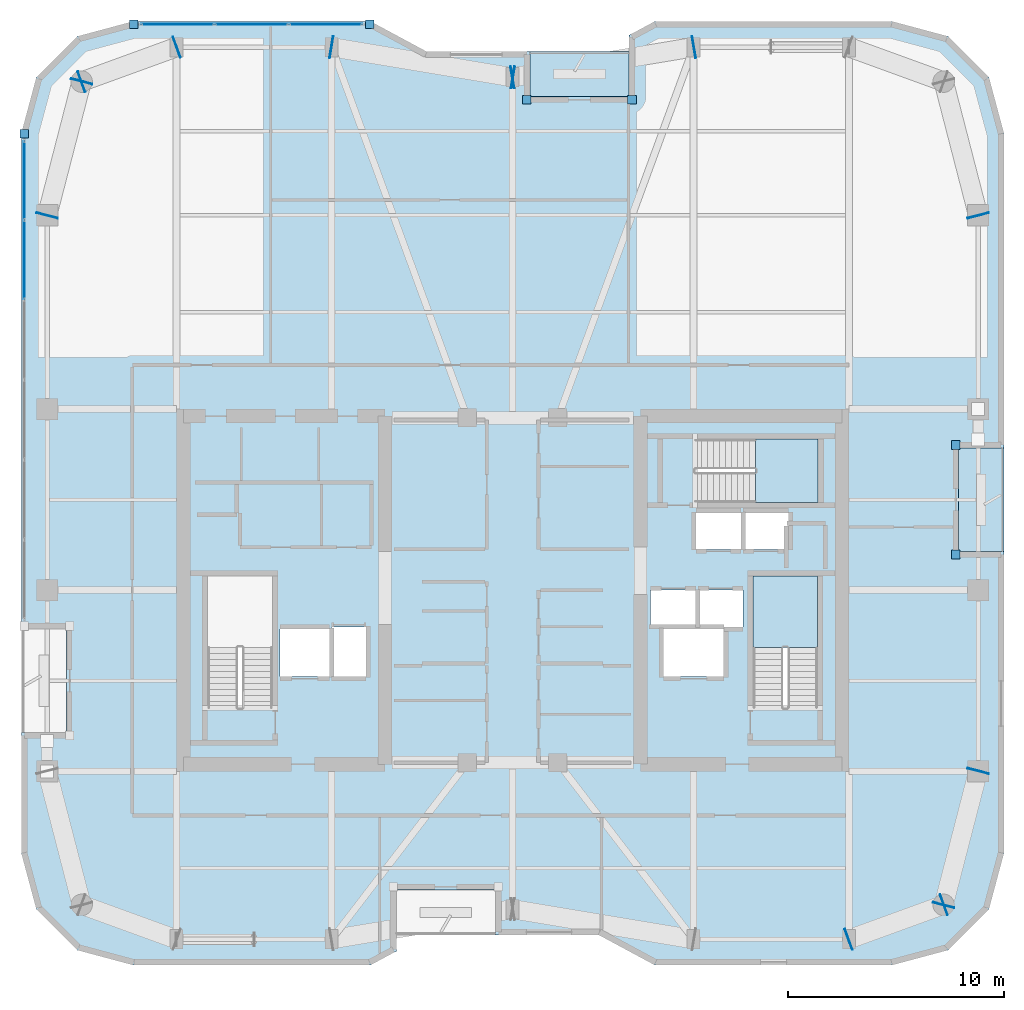
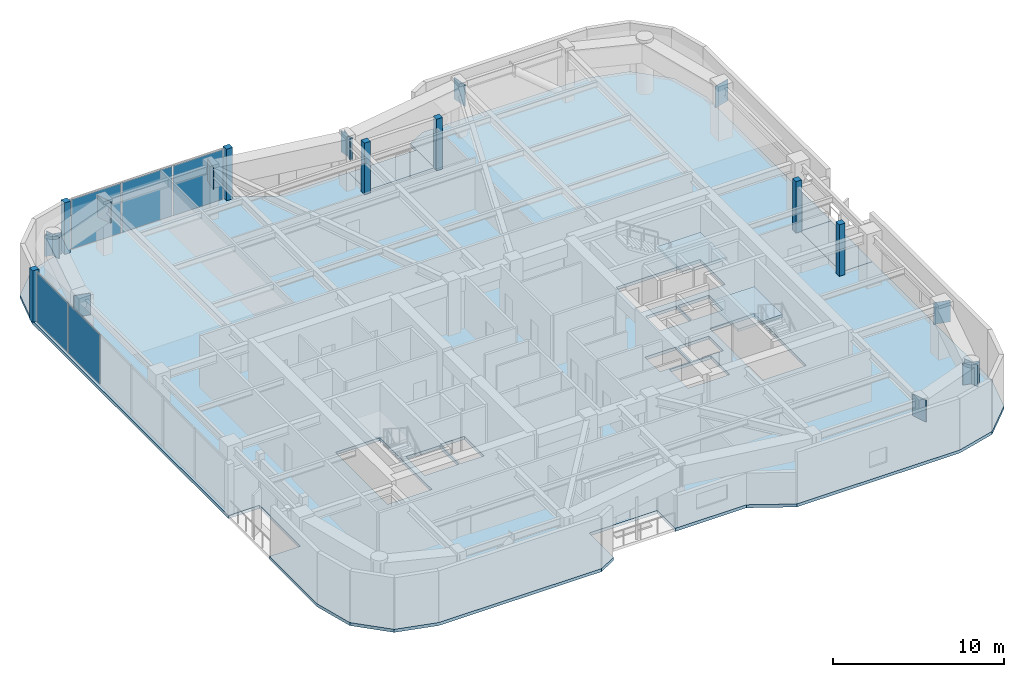
# One storey, part 13 of 21: 25 plates, 5 slabs, 4 elements without a shape of their own.
"""IFC4 building model written with IfcOpenShell, lengths in metres."""

from ifc_helpers import new_model, si_unit, direction, frame, origin, origin_2d, place, context, subcontext, project, spatial, polyline, rectangle, outline, extrude, material, layer, layer_set, type_object, element, aggregate, save


model = new_model("IFC4")

# Units and contexts
model_context = context("Model", 3, precision=1e-05, world=origin(), true_north=direction((0.0, 1.0)))
body_context = subcontext(model_context, "Body", "Model", "MODEL_VIEW")
ifc_project = project(units=[si_unit("LENGTHUNIT", "METRE"), si_unit("AREAUNIT", "SQUARE_METRE"), si_unit("VOLUMEUNIT", "CUBIC_METRE"), si_unit("PLANEANGLEUNIT", "RADIAN"), si_unit("MASSUNIT", "GRAM", prefix="KILO")], contexts=[model_context])

# Site, building, storey
site_placement = place(None, origin())
site = spatial("IfcSite", under=ifc_project, at=site_placement, CompositionType="ELEMENT")
building_placement = place(site_placement, origin())
building = spatial("IfcBuilding", under=site, at=building_placement, Name="Kiyonajd Concourse Tower", CompositionType="ELEMENT")
storey_placement = place(building_placement, frame((0.0, 0.0, 234.89990234375)))
storey = spatial("IfcBuildingStorey", under=building, at=storey_placement, Name="L59", CompositionType="ELEMENT", Elevation=234.89990234375)

# Plates
ifc_material_1 = material(Name="Steel ASTM A572 Grade 50", Category="steel")
ifc_layer_1 = layer(ifc_material_1, 0.031982421875)
ifc_layer_set_1 = layer_set([ifc_layer_1], Name="Steel ASTM A572 Grade 50")
plate_type_1 = type_object("IfcPlateType", Name="PL-CAP-540", PredefinedType="USERDEFINED", material=ifc_layer_set_1)
for number, where, z_axis, x_axis, name in (
    (1, (63.589599609375, 19.796142578125, 2.2099609375), (0.0, 0.0, 1.0), (-0.939811951086, -0.341692107891, 0.0), "L59 Welded Box Girder End Cap"),
    (2, (68.01025390625, 21.40380859375, 2.2099609375), (0.0, 0.0, 1.0), (0.939811951086, 0.341692107891, 0.0), "L59 Welded Box Girder End Cap"),
    (3, (67.997314453125, 21.389404296875, 2.2099609375), (0.0, 0.0, 1.0), (-0.249873048837, -0.968278606324, 0.0), "L59 Welded Box Girder End Cap"),
    (4, (69.602783203125, 27.610595703125, 2.2099609375), (0.0, 0.0, 1.0), (0.249873048837, 0.968278606324, 0.0), "L59 Welded Box Girder End Cap"),
    (5, (69.602783203125, 53.389404296875, 2.2099609375), (0.0, 0.0, 1.0), (0.249873048837, -0.968278606324, 0.0), "L59 Welded Box Girder End Cap"),
    (6, (56.410888671875, 61.201904296875, 2.2099609375), (0.0, 0.0, 1.0), (0.986400586142, 0.164359008451, 0.0), "L59 Welded Box Girder End Cap"),
    (7, (47.989013671875, 59.798095703125, 2.2099609375), (0.0, 0.0, 1.0), (-0.986400586142, -0.164359008451, 0.0), "L59 Welded Box Girder End Cap"),
    (8, (48.010986328125, 59.798095703125, 2.2099609375), (0.0, 0.0, 1.0), (0.986400586142, -0.164359008451, 0.0), "L59 Welded Box Girder End Cap"),
    (9, (39.589111328125, 61.201904296875, 2.2099609375), (0.0, 0.0, 1.0), (-0.986400586142, 0.164359008451, 0.0), "L59 Welded Box Girder End Cap"),
    (10, (32.410400390625, 61.203857421875, 2.2099609375), (0.0, 0.0, 1.0), (0.939811951086, 0.341692107891, 0.0), "L59 Welded Box Girder End Cap"),
    (11, (27.98974609375, 59.59619140625, 2.2099609375), (0.0, 0.0, 1.0), (-0.939811951086, -0.341692107891, 0.0), "L59 Welded Box Girder End Cap"),
    (12, (28.002685546875, 59.610595703125, 2.2099609375), (0.0, 0.0, 1.0), (0.249873048837, 0.968278606324, 0.0), "L59 Welded Box Girder End Cap"),
    (13, (26.397216796875, 53.389404296875, 2.2099609375), (0.0, 0.0, 1.0), (-0.249873048837, -0.968278606324, 0.0), "L59 Welded Box Girder End Cap"),
):
    element("IfcPlate", number, at=place(storey_placement, frame(where, z_axis=z_axis, x_axis=x_axis)), inside=storey, type_object=plate_type_1, Name=name, ObjectType="CAP PLATE", PredefinedType="USERDEFINED", context=body_context, shape_type="SweptSolid", body=[
        extrude(rectangle(XDim=0.035888671875, YDim=1.02001953125, at=origin_2d()), origin(), (0.0, 0.0, 1.0), 1.5400390625),
    ])

# Curtain wall, plates
ifc_material_2 = material(Name="Thermally Broken Anodised Aluminium", Category="aluminium")
ifc_layer_2 = layer(ifc_material_2, 0.179931640625)
ifc_layer_set_2 = layer_set([ifc_layer_2], Name="Thermally Broken Anodised Aluminium")
curtain_wall_type = type_object("IfcCurtainWallType", Name="CW-SYS-04", PredefinedType="NOTDEFINED", material=ifc_layer_set_2)
curtain_wall_1_placement = place(storey_placement, origin())
curtain_wall_1 = element("IfcCurtainWall", 14, at=curtain_wall_1_placement, inside=storey, type_object=curtain_wall_type, Name="L59 Unitised Curtain Wall CW4", PredefinedType="NOTDEFINED")
ifc_material_3 = material(Name="Double Low-E Insulated Glass", Category="glass")
ifc_layer_3 = layer(ifc_material_3, 0.033935546875)
ifc_layer_set_3 = layer_set([ifc_layer_3], Name="Double Low-E Insulated Glass")
plate_type_2 = type_object("IfcPlateType", Name="PL-CW-VIS34", PredefinedType="CURTAIN_PANEL", material=ifc_layer_set_3)
plate_1_placement = place(storey_placement, frame((25.340087890625, 51.326171875, 0.06494140625), z_axis=(0.0, 0.0, 1.0), x_axis=(0.0, 1.0, 0.0)))
plate_1 = element("IfcPlate", 15, at=plate_1_placement, type_object=plate_type_2, Name="CW4 panel 5.1", PredefinedType="CURTAIN_PANEL", context=body_context, shape_type="SweptSolid", body=[
    extrude(rectangle(XDim=3.645263671875, YDim=0.033935546875, at=origin_2d()), origin(), (0.0, 0.0, 1.0), 3.550048828125),
])
plate_2_placement = place(storey_placement, frame((25.340087890625, 55.020263671875, 0.06494140625), z_axis=(0.0, 0.0, 1.0), x_axis=(0.0, 1.0, 0.0)))
plate_2 = element("IfcPlate", 16, at=plate_2_placement, type_object=plate_type_2, Name="CW4 panel 6.1", PredefinedType="CURTAIN_PANEL", context=body_context, shape_type="SweptSolid", body=[
    extrude(rectangle(XDim=3.61279296875, YDim=0.033935546875, at=origin_2d()), origin(), (0.0, 0.0, 1.0), 3.550048828125),
])
aggregate(curtain_wall_1, [plate_1, plate_2])

curtain_wall_2_placement = place(storey_placement, origin())
curtain_wall_2 = element("IfcCurtainWall", 17, at=curtain_wall_2_placement, inside=storey, type_object=curtain_wall_type, Name="L59 Unitised Curtain Wall CW4", PredefinedType="NOTDEFINED")
plate_3_placement = place(storey_placement, frame((32.452392578125, 62.260009765625, 0.06494140625), z_axis=(0.0, 0.0, 1.0), x_axis=(1.0, 0.0, 0.0)))
plate_3 = element("IfcPlate", 18, at=plate_3_placement, type_object=plate_type_2, Name="CW4 panel 1.1", PredefinedType="CURTAIN_PANEL", context=body_context, shape_type="SweptSolid", body=[
    extrude(rectangle(XDim=3.35791015625, YDim=0.033935546875, at=origin_2d()), origin(), (0.0, 0.0, 1.0), 3.550048828125),
])
plate_4_placement = place(storey_placement, frame((35.8916015625, 62.260009765625, 0.06494140625), z_axis=(0.0, 0.0, 1.0), x_axis=(1.0, 0.0, 0.0)))
plate_4 = element("IfcPlate", 19, at=plate_4_placement, type_object=plate_type_2, Name="CW4 panel 2.1", PredefinedType="CURTAIN_PANEL", context=body_context, shape_type="SweptSolid", body=[
    extrude(rectangle(XDim=3.390380859375, YDim=0.033935546875, at=origin_2d()), origin(), (0.0, 0.0, 1.0), 3.550048828125),
])
plate_5_placement = place(storey_placement, frame((39.330810546875, 62.260009765625, 0.06494140625), z_axis=(0.0, 0.0, 1.0), x_axis=(1.0, 0.0, 0.0)))
plate_5 = element("IfcPlate", 20, at=plate_5_placement, type_object=plate_type_2, Name="CW4 panel 3.1", PredefinedType="CURTAIN_PANEL", context=body_context, shape_type="SweptSolid", body=[
    extrude(rectangle(XDim=3.35791015625, YDim=0.033935546875, at=origin_2d()), origin(), (0.0, 0.0, 1.0), 3.550048828125),
])
aggregate(curtain_wall_2, [plate_3, plate_4, plate_5])

# Plates
ifc_layer_4 = layer(ifc_material_2, 0.39990234375)
ifc_layer_set_4 = layer_set([ifc_layer_4], Name="Thermally Broken Anodised Aluminium")
plate_type_3 = type_object("IfcPlateType", Name="PL-JMB-400", PredefinedType="USERDEFINED", material=ifc_layer_set_4)
for number, where, z_axis, x_axis, name in (
    (21, (25.340087890625, 57.181640625, 0.0), (0.0, 0.0, 1.0), (1.0, 0.0, 0.0), "L59 Facade Jamb Closure Plate 04"),
    (22, (30.41845703125, 62.260009765625, 0.0), (0.0, 0.0, 1.0), (1.0, 0.0, 0.0), "L59 Facade Jamb Closure Plate 05"),
    (23, (41.36474609375, 62.260009765625, 0.0), (0.0, 0.0, 1.0), (1.0, 0.0, 0.0), "L59 Facade Jamb Closure Plate 06"),
    (24, (48.659912109375, 58.760009765625, 0.0), (0.0, 0.0, 1.0), (1.0, 0.0, 0.0), "L59 Facade Jamb Closure Plate 07"),
    (25, (53.5400390625, 58.760009765625, 0.0), (0.0, 0.0, 1.0), (1.0, 0.0, 0.0), "L59 Facade Jamb Closure Plate 08"),
    (26, (68.56005859375, 42.739990234375, 0.0), (0.0, 0.0, 1.0), (1.0, 0.0, 0.0), "L59 Facade Jamb Closure Plate 09"),
    (27, (68.56005859375, 37.659912109375, 0.0), (0.0, 0.0, 1.0), (1.0, 0.0, 0.0), "L59 Facade Jamb Closure Plate 10"),
):
    element("IfcPlate", number, at=place(storey_placement, frame(where, z_axis=z_axis, x_axis=x_axis)), inside=storey, type_object=plate_type_3, Name=name, ObjectType="JAMB PLATE", PredefinedType="USERDEFINED", context=body_context, shape_type="SweptSolid", body=[
        extrude(rectangle(XDim=0.39990234375, YDim=0.39990234375, at=origin_2d()), origin(), (0.0, 0.0, 1.0), 3.679931640625),
    ])

# Stair, slab
ifc_material_4 = material(Name="Concrete C40/50", Category="concrete")
stair_type = type_object("IfcStairType", Name="ST-DLG-22R", PredefinedType="HALF_TURN_STAIR", material=ifc_material_4)
stair_1_placement = place(storey_placement, origin())
stair_1 = element("IfcStair", 28, at=stair_1_placement, inside=storey, type_object=stair_type, Name="L59 Protected Exit Stair ST2", PredefinedType="HALF_TURN_STAIR")
ifc_layer_5 = layer(ifc_material_4, 0.199951171875)
ifc_layer_set_5 = layer_set([ifc_layer_5], Name="Concrete C40/50")
slab_type_1 = type_object("IfcSlabType", Name="SL-LND-200", PredefinedType="LANDING", material=ifc_layer_set_5)
slab_1_placement = place(storey_placement, frame((0.0, 0.0, 1.75)))
slab_1 = element("IfcSlab", 29, at=slab_1_placement, type_object=slab_type_1, Name="ST2 landing 1", PredefinedType="LANDING", context=body_context, shape_type="SweptSolid", body=[
    extrude(outline(polyline([(62.14990234375, 33.35009765625), (62.14990234375, 36.64990234375), (59.14990234375, 36.64990234375), (59.14990234375, 33.35009765625), (62.14990234375, 33.35009765625)])), origin(), (0.0, 0.0, 1.0), 0.2001953125),
])
aggregate(stair_1, [slab_1])

stair_2_placement = place(storey_placement, origin())
stair_2 = element("IfcStair", 30, at=stair_2_placement, inside=storey, type_object=stair_type, Name="L59 Protected Exit Stair ST3", PredefinedType="HALF_TURN_STAIR")
slab_2_placement = place(storey_placement, frame((0.0, 0.0, 1.75)))
slab_2 = element("IfcSlab", 31, at=slab_2_placement, type_object=slab_type_1, Name="ST3 landing 1", PredefinedType="LANDING", context=body_context, shape_type="SweptSolid", body=[
    extrude(outline(polyline([(59.280029296875, 40.080078125), (62.179931640625, 40.080078125), (62.179931640625, 43.02001953125), (59.280029296875, 43.02001953125), (59.280029296875, 40.080078125)])), origin(), (0.0, 0.0, 1.0), 0.2001953125),
])
aggregate(stair_2, [slab_2])

# Slabs
ifc_material_5 = material(Name="Precast concrete C50/60", Category="concrete")
ifc_layer_6 = layer(ifc_material_5, 0.199951171875)
ifc_layer_set_6 = layer_set([ifc_layer_6], Name="Precast concrete C50/60")
slab_type_2 = type_object("IfcSlabType", Name="SL-LOG-200", PredefinedType="FLOOR", material=ifc_layer_set_6)
slab_3_placement = place(storey_placement, frame((0.0, 0.0, -0.199951171875)))
element("IfcSlab", 32, at=slab_3_placement, inside=storey, type_object=slab_type_2, Name="L59 Recessed Engawa Loggia Terrace Slab LOG-N", PredefinedType="FLOOR", context=body_context, shape_type="SweptSolid", body=[
    extrude(outline(polyline([(48.800048828125, 58.89990234375), (53.39990234375, 58.89990234375), (53.39990234375, 61.0), (48.800048828125, 61.0), (48.800048828125, 58.89990234375)])), origin(), (0.0, 0.0, 1.0), 0.199951171875),
])
slab_4_placement = place(storey_placement, frame((0.0, 0.0, -0.199951171875)))
element("IfcSlab", 33, at=slab_4_placement, inside=storey, type_object=slab_type_2, Name="L59 Recessed Engawa Loggia Terrace Slab LOG-E", PredefinedType="FLOOR", context=body_context, shape_type="SweptSolid", body=[
    extrude(outline(polyline([(68.699951171875, 37.800048828125), (70.800048828125, 37.800048828125), (70.800048828125, 42.60009765625), (68.699951171875, 42.60009765625), (68.699951171875, 37.800048828125)])), origin(), (0.0, 0.0, 1.0), 0.199951171875),
])
ifc_layer_7 = layer(ifc_material_4, 0.219970703125)
ifc_layer_set_7 = layer_set([ifc_layer_7], Name="Concrete C40/50")
slab_type_3 = type_object("IfcSlabType", Name="SL-TWR-220", PredefinedType="FLOOR", material=ifc_layer_set_7)
slab_5_placement = place(storey_placement, frame((0.0, 0.0, -0.219970703125)))
element("IfcSlab", 34, at=slab_5_placement, inside=storey, type_object=slab_type_3, Name="L59 Tower Conditioned Floor Slab", PredefinedType="FLOOR", context=body_context, shape_type="SweptSolid", body=[
    extrude(outline(polyline([(25.89697265625, 21.199951171875), (25.199951171875, 23.800048828125), (25.199951171875, 29.39990234375), (27.300048828125, 29.39990234375), (27.300048828125, 34.199951171875), (25.199951171875, 34.199951171875), (25.199951171875, 57.199951171875), (25.89697265625, 59.800048828125), (27.800048828125, 61.702880859375), (30.39990234375, 62.39990234375), (41.39990234375, 62.39990234375), (44.0, 61.0), (48.800048828125, 61.0), (48.800048828125, 58.89990234375), (53.39990234375, 58.89990234375), (53.39990234375, 61.75390625), (54.60009765625, 62.39990234375), (65.60009765625, 62.39990234375), (68.199951171875, 61.702880859375), (70.10302734375, 59.800048828125), (70.800048828125, 57.199951171875), (70.800048828125, 42.60009765625), (68.699951171875, 42.60009765625), (68.699951171875, 37.800048828125), (70.800048828125, 37.800048828125), (70.800048828125, 23.800048828125), (70.10302734375, 21.199951171875), (68.199951171875, 19.297119140625), (65.60009765625, 18.60009765625), (54.60009765625, 18.60009765625), (52.0, 20.0), (47.199951171875, 20.0), (47.199951171875, 22.10009765625), (42.60009765625, 22.10009765625), (42.60009765625, 19.24609375), (41.39990234375, 18.60009765625), (30.39990234375, 18.60009765625), (27.800048828125, 19.297119140625), (25.89697265625, 21.199951171875)]), holes=[polyline([(39.5, 32.0), (37.199951171875, 32.0), (37.199951171875, 34.199951171875), (39.5, 34.199951171875), (39.5, 32.0)]), polyline([(57.800048828125, 32.0), (55.0, 32.0), (55.0, 34.199951171875), (57.800048828125, 34.199951171875), (57.800048828125, 32.0)]), polyline([(41.199951171875, 32.0), (39.60009765625, 32.0), (39.60009765625, 34.300048828125), (41.199951171875, 34.300048828125), (41.199951171875, 32.0)]), polyline([(33.85009765625, 30.550048828125), (33.85009765625, 36.64990234375), (36.85009765625, 36.64990234375), (36.85009765625, 30.550048828125), (33.85009765625, 30.550048828125)]), polyline([(59.14990234375, 30.550048828125), (59.14990234375, 36.64990234375), (62.14990234375, 36.64990234375), (62.14990234375, 30.550048828125), (59.14990234375, 30.550048828125)]), polyline([(56.5, 34.300048828125), (54.39990234375, 34.300048828125), (54.39990234375, 36.0), (56.5, 36.0), (56.5, 34.300048828125)]), polyline([(58.699951171875, 34.300048828125), (56.60009765625, 34.300048828125), (56.60009765625, 36.0), (58.699951171875, 36.0), (58.699951171875, 34.300048828125)]), polyline([(58.60009765625, 37.89990234375), (56.5, 37.89990234375), (56.5, 39.60009765625), (58.60009765625, 39.60009765625), (58.60009765625, 37.89990234375)]), polyline([(58.699951171875, 37.89990234375), (58.699951171875, 39.60009765625), (60.800048828125, 39.60009765625), (60.800048828125, 37.89990234375), (58.699951171875, 37.89990234375)]), polyline([(56.47998046875, 43.02001953125), (62.179931640625, 43.02001953125), (62.179931640625, 40.080078125), (56.47998046875, 40.080078125), (56.47998046875, 43.02001953125)])]), origin(), (0.0, 0.0, 1.0), 0.219970703125),
])

save(model, "model.ifc")
